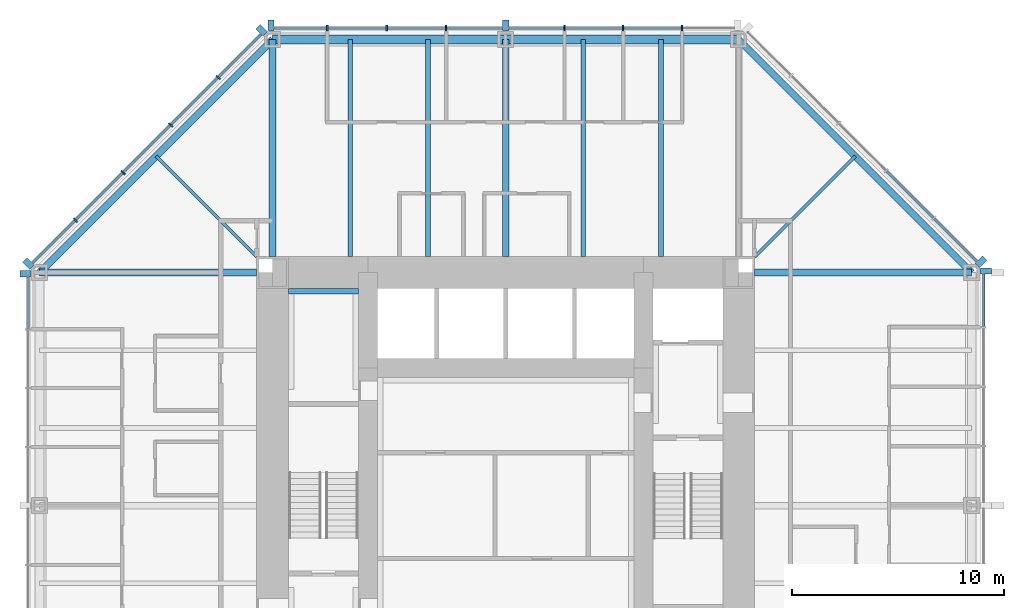
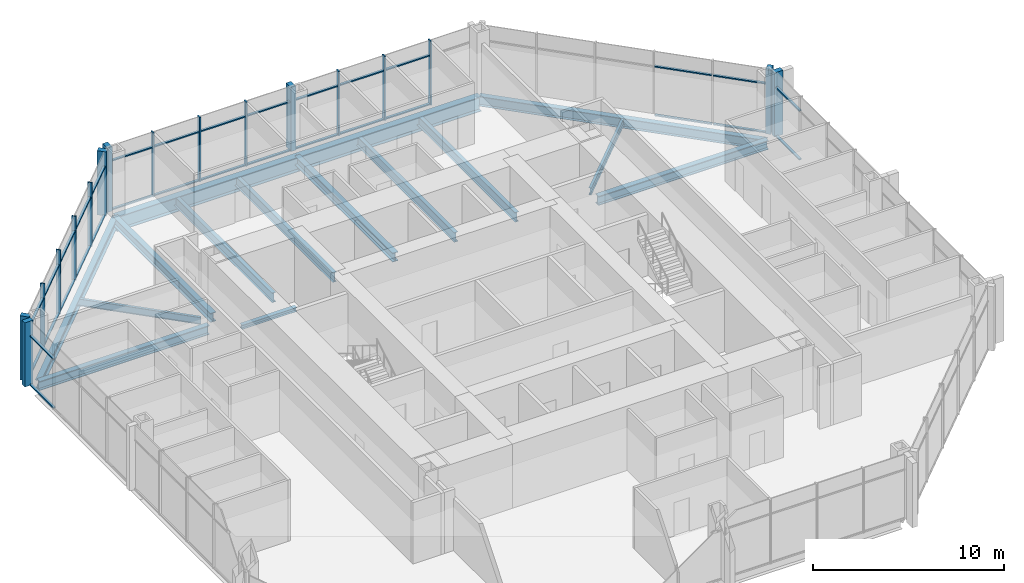
# One storey, part 5 of 14: 49 members, 15 beams, 5 elements without a shape of their own.
"""IFC4 building model written with IfcOpenShell, lengths in metres."""

from ifc_helpers import new_model, si_unit, direction, frame, origin, origin_2d, place, context, subcontext, project, spatial, rectangle, i_section, extrude, material, material_profile, profile_set, type_object, element, aggregate, save


model = new_model("IFC4")

# Units and contexts
model_context = context("Model", 3, precision=1e-05, world=origin(), true_north=direction((0.0, 1.0)))
body_context = subcontext(model_context, "Body", "Model", "MODEL_VIEW")
ifc_project = project(units=[si_unit("LENGTHUNIT", "METRE"), si_unit("AREAUNIT", "SQUARE_METRE"), si_unit("VOLUMEUNIT", "CUBIC_METRE"), si_unit("PLANEANGLEUNIT", "RADIAN"), si_unit("MASSUNIT", "GRAM", prefix="KILO")], contexts=[model_context])

# Site, building, storey
site_placement = place(None, origin())
site = spatial("IfcSite", under=ifc_project, at=site_placement, CompositionType="ELEMENT")
building_placement = place(site_placement, origin())
building = spatial("IfcBuilding", under=site, at=building_placement, Name="Trevanion Tower", CompositionType="ELEMENT")
storey_placement = place(building_placement, frame((0.0, 0.0, 104.89990234375)))
storey = spatial("IfcBuildingStorey", under=building, at=storey_placement, Name="L24", CompositionType="ELEMENT", Elevation=104.89990234375)

# Beams
ifc_material_1 = material(Name="Steel ASTM A992 Grade 50", Category="steel")
ifc_material_profile_1 = material_profile(ifc_material_1, i_section(OverallWidth=0.22900390625, OverallDepth=0.612060546875, WebThickness=0.011962890625, FlangeThickness=0.01953125, at=origin_2d()), Name="W24X84")
ifc_profile_set_1 = profile_set([ifc_material_profile_1], Name="Steel ASTM A992 Grade 50")
beam_type_1 = type_object("IfcBeamType", Name="B7 W24X84", PredefinedType="BEAM", material=ifc_profile_set_1)
for number, where, z_axis, x_axis, name in (
    (1, (7.333251953125, 11.75, -0.49609375), (0.0, 1.0, 0.0), (-1.0, 0.0, 0.0), "B7 L24"),
    (2, (3.666748046875, 11.75, -0.49609375), (0.0, 1.0, 0.0), (-1.0, 0.0, 0.0), "B7 L24"),
    (3, (-3.666748046875, 11.75, -0.49609375), (0.0, 1.0, 0.0), (-1.0, 0.0, 0.0), "B7 L24"),
    (4, (-7.333251953125, 11.75, -0.49609375), (0.0, 1.0, 0.0), (-1.0, 0.0, 0.0), "B7 L24"),
):
    element("IfcBeam", number, at=place(storey_placement, frame(where, z_axis=z_axis, x_axis=x_axis)), inside=storey, type_object=beam_type_1, Name=name, PredefinedType="BEAM", context=body_context, shape_type="SweptSolid", body=[
        extrude(i_section(OverallWidth=0.22900390625, OverallDepth=0.612060546875, WebThickness=0.011962890625, FlangeThickness=0.01953125, at=origin_2d()), origin(), (0.0, 0.0, 1.0), 10.25),
    ])
ifc_material_2 = material(Name="Steel ASTM A992 Grade 50", Category="steel")
ifc_material_profile_2 = material_profile(ifc_material_2, i_section(OverallWidth=0.15234375, OverallDepth=0.449462890625, WebThickness=0.007568359375, FlangeThickness=0.0107421875, at=origin_2d()), Name="W18X35")
ifc_profile_set_2 = profile_set([ifc_material_profile_2], Name="Steel ASTM A992 Grade 50")
beam_type_2 = type_object("IfcBeamType", Name="B8 W18X35", PredefinedType="BEAM", material=ifc_profile_set_2)
for number, where, z_axis, x_axis, name in (
    (5, (11.75, 11.75, -0.414794921875), (0.707106781187, 0.707106781187, 0.0), (-0.707106781187, 0.707106781187, 0.0), "B8 L24"),
    (6, (-11.75, 11.75, -0.414794921875), (-0.707106781187, 0.707106781187, 0.0), (-0.707106781187, -0.707106781187, 0.0), "B8 L24"),
):
    element("IfcBeam", number, at=place(storey_placement, frame(where, z_axis=z_axis, x_axis=x_axis)), inside=storey, type_object=beam_type_2, Name=name, PredefinedType="BEAM", context=body_context, shape_type="SweptSolid", body=[
        extrude(i_section(OverallWidth=0.15234375, OverallDepth=0.449462890625, WebThickness=0.007568359375, FlangeThickness=0.0107421875, at=origin_2d()), origin(), (0.0, 0.0, 1.0), 6.717529296875),
    ])

# Curtain wall, members
ifc_material_3 = material(Name="Aluminium and glass", Category="aluminium")
curtain_wall_type = type_object("IfcCurtainWallType", Name="CW2 curtain wall", PredefinedType="USERDEFINED", material=ifc_material_3)
curtain_wall_1_placement = place(storey_placement, origin())
curtain_wall_1 = element("IfcCurtainWall", 7, at=curtain_wall_1_placement, inside=storey, type_object=curtain_wall_type, Name="CW2 L24 2", ObjectType="UNITISED CURTAIN WALL", PredefinedType="USERDEFINED")
ifc_material_4 = material(Name="Aluminium extrusion, anodised bronze", Category="aluminium")
ifc_material_profile_3 = material_profile(ifc_material_4, rectangle(XDim=0.074951171875, YDim=0.25, at=origin_2d()), Name="CW2 mullion")
ifc_profile_set_3 = profile_set([ifc_material_profile_3], Name="Aluminium extrusion, anodised bronze")
member_type_1 = type_object("IfcMemberType", Name="CW2 mullion", PredefinedType="MULLION", material=ifc_profile_set_3)
member_1_placement = place(storey_placement, frame((8.323486328125, 22.550048828125, -0.18994140625), z_axis=(0.0, 0.0, 1.0), x_axis=(-1.0, 0.0, 0.0)))
member_1 = element("IfcMember", 8, at=member_1_placement, type_object=member_type_1, Name="CW2 mullion 2", PredefinedType="MULLION", context=body_context, shape_type="SweptSolid", body=[
    extrude(rectangle(XDim=0.074951171875, YDim=0.25, at=origin_2d()), origin(), (0.0, 0.0, 1.0), 4.10009765625),
])
member_2_placement = place(storey_placement, frame((5.548828125, 22.550048828125, -0.18994140625), z_axis=(0.0, 0.0, 1.0), x_axis=(-1.0, 0.0, 0.0)))
member_2 = element("IfcMember", 9, at=member_2_placement, type_object=member_type_1, Name="CW2 mullion 3", PredefinedType="MULLION", context=body_context, shape_type="SweptSolid", body=[
    extrude(rectangle(XDim=0.074951171875, YDim=0.25, at=origin_2d()), origin(), (0.0, 0.0, 1.0), 4.10009765625),
])
member_3_placement = place(storey_placement, frame((2.7744140625, 22.550048828125, -0.18994140625), z_axis=(0.0, 0.0, 1.0), x_axis=(-1.0, 0.0, 0.0)))
member_3 = element("IfcMember", 10, at=member_3_placement, type_object=member_type_1, Name="CW2 mullion 4", PredefinedType="MULLION", context=body_context, shape_type="SweptSolid", body=[
    extrude(rectangle(XDim=0.074951171875, YDim=0.25, at=origin_2d()), origin(), (0.0, 0.0, 1.0), 4.10009765625),
])
member_4_placement = place(storey_placement, frame((-2.806884765625, 22.550048828125, -0.18994140625), z_axis=(0.0, 0.0, 1.0), x_axis=(-1.0, 0.0, 0.0)))
member_4 = element("IfcMember", 11, at=member_4_placement, type_object=member_type_1, Name="CW2 mullion 6", PredefinedType="MULLION", context=body_context, shape_type="SweptSolid", body=[
    extrude(rectangle(XDim=0.074951171875, YDim=0.25, at=origin_2d()), origin(), (0.0, 0.0, 1.0), 4.10009765625),
])
member_5_placement = place(storey_placement, frame((-5.614013671875, 22.550048828125, -0.18994140625), z_axis=(0.0, 0.0, 1.0), x_axis=(-1.0, 0.0, 0.0)))
member_5 = element("IfcMember", 12, at=member_5_placement, type_object=member_type_1, Name="CW2 mullion 7", PredefinedType="MULLION", context=body_context, shape_type="SweptSolid", body=[
    extrude(rectangle(XDim=0.074951171875, YDim=0.25, at=origin_2d()), origin(), (0.0, 0.0, 1.0), 4.10009765625),
])
member_6_placement = place(storey_placement, frame((-8.4208984375, 22.550048828125, -0.18994140625), z_axis=(0.0, 0.0, 1.0), x_axis=(-1.0, 0.0, 0.0)))
member_6 = element("IfcMember", 13, at=member_6_placement, type_object=member_type_1, Name="CW2 mullion 8", PredefinedType="MULLION", context=body_context, shape_type="SweptSolid", body=[
    extrude(rectangle(XDim=0.074951171875, YDim=0.25, at=origin_2d()), origin(), (0.0, 0.0, 1.0), 4.10009765625),
])

curtain_wall_2_placement = place(storey_placement, origin())
curtain_wall_2 = element("IfcCurtainWall", 14, at=curtain_wall_2_placement, inside=storey, type_object=curtain_wall_type, Name="CW2 L24 3", ObjectType="UNITISED CURTAIN WALL", PredefinedType="USERDEFINED")
member_7_placement = place(storey_placement, frame((-13.56591796875, 20.2119140625, -0.18994140625), z_axis=(0.0, 0.0, 1.0), x_axis=(-0.707106781187, -0.707106781187, 0.0)))
member_7 = element("IfcMember", 15, at=member_7_placement, type_object=member_type_1, Name="CW2 mullion 2", PredefinedType="MULLION", context=body_context, shape_type="SweptSolid", body=[
    extrude(rectangle(XDim=0.074951171875, YDim=0.25, at=origin_2d()), origin(), (0.0, 0.0, 1.0), 4.10009765625),
])
member_8_placement = place(storey_placement, frame((-15.811767578125, 17.966064453125, -0.18994140625), z_axis=(0.0, 0.0, 1.0), x_axis=(-0.707106781187, -0.707106781187, 0.0)))
member_8 = element("IfcMember", 16, at=member_8_placement, type_object=member_type_1, Name="CW2 mullion 3", PredefinedType="MULLION", context=body_context, shape_type="SweptSolid", body=[
    extrude(rectangle(XDim=0.074951171875, YDim=0.25, at=origin_2d()), origin(), (0.0, 0.0, 1.0), 4.10009765625),
])
member_9_placement = place(storey_placement, frame((-18.057861328125, 15.719970703125, -0.18994140625), z_axis=(0.0, 0.0, 1.0), x_axis=(-0.707106781187, -0.707106781187, 0.0)))
member_9 = element("IfcMember", 17, at=member_9_placement, type_object=member_type_1, Name="CW2 mullion 4", PredefinedType="MULLION", context=body_context, shape_type="SweptSolid", body=[
    extrude(rectangle(XDim=0.074951171875, YDim=0.25, at=origin_2d()), origin(), (0.0, 0.0, 1.0), 4.10009765625),
])
member_10_placement = place(storey_placement, frame((-20.303955078125, 13.473876953125, -0.18994140625), z_axis=(0.0, 0.0, 1.0), x_axis=(-0.707106781187, -0.707106781187, 0.0)))
member_10 = element("IfcMember", 18, at=member_10_placement, type_object=member_type_1, Name="CW2 mullion 5", PredefinedType="MULLION", context=body_context, shape_type="SweptSolid", body=[
    extrude(rectangle(XDim=0.074951171875, YDim=0.25, at=origin_2d()), origin(), (0.0, 0.0, 1.0), 4.10009765625),
])

# Curtain wall, member
curtain_wall_3_placement = place(storey_placement, origin())
curtain_wall_3 = element("IfcCurtainWall", 19, at=curtain_wall_3_placement, inside=storey, type_object=curtain_wall_type, Name="CW2 L24 0", ObjectType="UNITISED CURTAIN WALL", PredefinedType="USERDEFINED")
ifc_material_5 = material(Name="Aluminium extrusion, anodised bronze", Category="aluminium")
ifc_material_profile_4 = material_profile(ifc_material_5, rectangle(XDim=0.300048828125, YDim=0.5, at=origin_2d()), Name="CW2 pier mullion")
ifc_profile_set_4 = profile_set([ifc_material_profile_4], Name="Aluminium extrusion, anodised bronze")
member_type_2 = type_object("IfcMemberType", Name="CW2 pier mullion", PredefinedType="MULLION", material=ifc_profile_set_4)
member_11_placement = place(storey_placement, frame((22.675048828125, 11.077880859375, -0.18994140625), z_axis=(0.0, 0.0, 1.0), x_axis=(0.0, 1.0, 0.0)))
member_11 = element("IfcMember", 20, at=member_11_placement, type_object=member_type_2, Name="CW2 pier mullion 9", PredefinedType="MULLION", context=body_context, shape_type="SweptSolid", body=[
    extrude(rectangle(XDim=0.300048828125, YDim=0.5, at=origin_2d()), origin(), (0.0, 0.0, 1.0), 4.10009765625),
])

curtain_wall_4_placement = place(storey_placement, origin())
curtain_wall_4 = element("IfcCurtainWall", 21, at=curtain_wall_4_placement, inside=storey, type_object=curtain_wall_type, Name="CW2 L24 1", ObjectType="UNITISED CURTAIN WALL", PredefinedType="USERDEFINED")
member_12_placement = place(storey_placement, frame((22.4404296875, 11.51416015625, -0.18994140625), z_axis=(0.0, 0.0, 1.0), x_axis=(-0.707106781187, 0.707106781187, 0.0)))
member_12 = element("IfcMember", 22, at=member_12_placement, type_object=member_type_2, Name="CW2 pier mullion 1", PredefinedType="MULLION", context=body_context, shape_type="SweptSolid", body=[
    extrude(rectangle(XDim=0.300048828125, YDim=0.5, at=origin_2d()), origin(), (0.0, 0.0, 1.0), 4.10009765625),
])

# Member
member_13_placement = place(storey_placement, frame((0.0, 22.675048828125, -0.18994140625), z_axis=(0.0, 0.0, 1.0), x_axis=(-1.0, 0.0, 0.0)))
member_13 = element("IfcMember", 23, at=member_13_placement, type_object=member_type_2, Name="CW2 pier mullion 5", PredefinedType="MULLION", context=body_context, shape_type="SweptSolid", body=[
    extrude(rectangle(XDim=0.300048828125, YDim=0.5, at=origin_2d()), origin(), (0.0, 0.0, 1.0), 4.10009765625),
])

member_14_placement = place(storey_placement, frame((-11.077880859375, 22.675048828125, -0.18994140625), z_axis=(0.0, 0.0, 1.0), x_axis=(-1.0, 0.0, 0.0)))
member_14 = element("IfcMember", 24, at=member_14_placement, type_object=member_type_2, Name="CW2 pier mullion 9", PredefinedType="MULLION", context=body_context, shape_type="SweptSolid", body=[
    extrude(rectangle(XDim=0.300048828125, YDim=0.5, at=origin_2d()), origin(), (0.0, 0.0, 1.0), 4.10009765625),
])

member_15_placement = place(storey_placement, frame((-11.51416015625, 22.4404296875, -0.18994140625), z_axis=(0.0, 0.0, 1.0), x_axis=(-0.707106781187, -0.707106781187, 0.0)))
member_15 = element("IfcMember", 25, at=member_15_placement, type_object=member_type_2, Name="CW2 pier mullion 1", PredefinedType="MULLION", context=body_context, shape_type="SweptSolid", body=[
    extrude(rectangle(XDim=0.300048828125, YDim=0.5, at=origin_2d()), origin(), (0.0, 0.0, 1.0), 4.10009765625),
])

member_16_placement = place(storey_placement, frame((-22.5322265625, 11.42236328125, -0.18994140625), z_axis=(0.0, 0.0, 1.0), x_axis=(-0.707106781187, -0.707106781187, 0.0)))
member_16 = element("IfcMember", 26, at=member_16_placement, type_object=member_type_2, Name="CW2 pier mullion 6", PredefinedType="MULLION", context=body_context, shape_type="SweptSolid", body=[
    extrude(rectangle(XDim=0.300048828125, YDim=0.5, at=origin_2d()), origin(), (0.0, 0.0, 1.0), 4.10009765625),
])

# Curtain wall, member
curtain_wall_5_placement = place(storey_placement, origin())
curtain_wall_5 = element("IfcCurtainWall", 27, at=curtain_wall_5_placement, inside=storey, type_object=curtain_wall_type, Name="CW2 L24 4", ObjectType="UNITISED CURTAIN WALL", PredefinedType="USERDEFINED")
member_17_placement = place(storey_placement, frame((-22.675048828125, 10.94775390625, -0.18994140625), z_axis=(0.0, 0.0, 1.0), x_axis=(0.0, -1.0, 0.0)))
member_17 = element("IfcMember", 28, at=member_17_placement, type_object=member_type_2, Name="CW2 pier mullion 1", PredefinedType="MULLION", context=body_context, shape_type="SweptSolid", body=[
    extrude(rectangle(XDim=0.300048828125, YDim=0.5, at=origin_2d()), origin(), (0.0, 0.0, 1.0), 4.10009765625),
])

# Member
ifc_material_6 = material(Name="Aluminium extrusion, anodised bronze", Category="aluminium")
ifc_material_profile_5 = material_profile(ifc_material_6, rectangle(XDim=0.14990234375, YDim=0.074951171875, at=origin_2d()), Name="CW2 transom")
ifc_profile_set_5 = profile_set([ifc_material_profile_5], Name="Aluminium extrusion, anodised bronze")
member_type_3 = type_object("IfcMemberType", Name="CW2 transom", PredefinedType="USERDEFINED", material=ifc_profile_set_5)
member_18_placement = place(storey_placement, frame((22.550048828125, 8.45849609375, -0.15234375), z_axis=(0.0, 1.0, 0.0), x_axis=(-1.0, 0.0, 0.0)))
member_18 = element("IfcMember", 29, at=member_18_placement, type_object=member_type_3, Name="CW2 transom 8.1", ObjectType="TRANSOM", PredefinedType="USERDEFINED", context=body_context, shape_type="SweptSolid", body=[
    extrude(rectangle(XDim=0.14990234375, YDim=0.074951171875, at=origin_2d()), origin(), (0.0, 0.0, 1.0), 2.46923828125),
])

member_19_placement = place(storey_placement, frame((22.550048828125, 8.45849609375, 2.960205078125), z_axis=(0.0, 1.0, 0.0), x_axis=(-1.0, 0.0, 0.0)))
member_19 = element("IfcMember", 30, at=member_19_placement, type_object=member_type_3, Name="CW2 transom 8.2", ObjectType="TRANSOM", PredefinedType="USERDEFINED", context=body_context, shape_type="SweptSolid", body=[
    extrude(rectangle(XDim=0.14990234375, YDim=0.074951171875, at=origin_2d()), origin(), (0.0, 0.0, 1.0), 2.46923828125),
])

aggregate(curtain_wall_3, [member_11, member_18, member_19])

member_20_placement = place(storey_placement, frame((22.245849609375, 11.531982421875, -0.15234375), z_axis=(-0.707106781187, 0.707106781187, 0.0), x_axis=(-0.707106781187, -0.707106781187, 0.0)))
member_20 = element("IfcMember", 31, at=member_20_placement, type_object=member_type_3, Name="CW2 transom 1.1", ObjectType="TRANSOM", PredefinedType="USERDEFINED", context=body_context, shape_type="SweptSolid", body=[
    extrude(rectangle(XDim=0.14990234375, YDim=0.074951171875, at=origin_2d()), origin(), (0.0, 0.0, 1.0), 2.8388671875),
])

member_21_placement = place(storey_placement, frame((22.245849609375, 11.531982421875, 2.960205078125), z_axis=(-0.707106781187, 0.707106781187, 0.0), x_axis=(-0.707106781187, -0.707106781187, 0.0)))
member_21 = element("IfcMember", 32, at=member_21_placement, type_object=member_type_3, Name="CW2 transom 1.2", ObjectType="TRANSOM", PredefinedType="USERDEFINED", context=body_context, shape_type="SweptSolid", body=[
    extrude(rectangle(XDim=0.14990234375, YDim=0.074951171875, at=origin_2d()), origin(), (0.0, 0.0, 1.0), 2.8388671875),
])

member_22_placement = place(storey_placement, frame((20.185546875, 13.59228515625, -0.15234375), z_axis=(-0.707106781187, 0.707106781187, 0.0), x_axis=(-0.707106781187, -0.707106781187, 0.0)))
member_22 = element("IfcMember", 33, at=member_22_placement, type_object=member_type_3, Name="CW2 transom 2.1", ObjectType="TRANSOM", PredefinedType="USERDEFINED", context=body_context, shape_type="SweptSolid", body=[
    extrude(rectangle(XDim=0.14990234375, YDim=0.074951171875, at=origin_2d()), origin(), (0.0, 0.0, 1.0), 3.1015625),
])

member_23_placement = place(storey_placement, frame((20.185546875, 13.59228515625, 2.960205078125), z_axis=(-0.707106781187, 0.707106781187, 0.0), x_axis=(-0.707106781187, -0.707106781187, 0.0)))
member_23 = element("IfcMember", 34, at=member_23_placement, type_object=member_type_3, Name="CW2 transom 2.2", ObjectType="TRANSOM", PredefinedType="USERDEFINED", context=body_context, shape_type="SweptSolid", body=[
    extrude(rectangle(XDim=0.14990234375, YDim=0.074951171875, at=origin_2d()), origin(), (0.0, 0.0, 1.0), 3.1015625),
])

aggregate(curtain_wall_4, [member_12, member_20, member_21, member_22, member_23])

member_24_placement = place(storey_placement, frame((8.285888671875, 22.550048828125, -0.15234375), z_axis=(-1.0, 0.0, 0.0), x_axis=(0.0, -1.0, 0.0)))
member_24 = element("IfcMember", 35, at=member_24_placement, type_object=member_type_3, Name="CW2 transom 2.1", ObjectType="TRANSOM", PredefinedType="USERDEFINED", context=body_context, shape_type="SweptSolid", body=[
    extrude(rectangle(XDim=0.14990234375, YDim=0.074951171875, at=origin_2d()), origin(), (0.0, 0.0, 1.0), 2.699462890625),
])

member_25_placement = place(storey_placement, frame((8.285888671875, 22.550048828125, 2.960205078125), z_axis=(-1.0, 0.0, 0.0), x_axis=(0.0, -1.0, 0.0)))
member_25 = element("IfcMember", 36, at=member_25_placement, type_object=member_type_3, Name="CW2 transom 2.2", ObjectType="TRANSOM", PredefinedType="USERDEFINED", context=body_context, shape_type="SweptSolid", body=[
    extrude(rectangle(XDim=0.14990234375, YDim=0.074951171875, at=origin_2d()), origin(), (0.0, 0.0, 1.0), 2.699462890625),
])

member_26_placement = place(storey_placement, frame((5.511474609375, 22.550048828125, -0.15234375), z_axis=(-1.0, 0.0, 0.0), x_axis=(0.0, -1.0, 0.0)))
member_26 = element("IfcMember", 37, at=member_26_placement, type_object=member_type_3, Name="CW2 transom 3.1", ObjectType="TRANSOM", PredefinedType="USERDEFINED", context=body_context, shape_type="SweptSolid", body=[
    extrude(rectangle(XDim=0.14990234375, YDim=0.074951171875, at=origin_2d()), origin(), (0.0, 0.0, 1.0), 2.699462890625),
])

member_27_placement = place(storey_placement, frame((5.511474609375, 22.550048828125, 2.960205078125), z_axis=(-1.0, 0.0, 0.0), x_axis=(0.0, -1.0, 0.0)))
member_27 = element("IfcMember", 38, at=member_27_placement, type_object=member_type_3, Name="CW2 transom 3.2", ObjectType="TRANSOM", PredefinedType="USERDEFINED", context=body_context, shape_type="SweptSolid", body=[
    extrude(rectangle(XDim=0.14990234375, YDim=0.074951171875, at=origin_2d()), origin(), (0.0, 0.0, 1.0), 2.699462890625),
])

member_28_placement = place(storey_placement, frame((2.737060546875, 22.550048828125, -0.15234375), z_axis=(-1.0, 0.0, 0.0), x_axis=(0.0, -1.0, 0.0)))
member_28 = element("IfcMember", 39, at=member_28_placement, type_object=member_type_3, Name="CW2 transom 4.1", ObjectType="TRANSOM", PredefinedType="USERDEFINED", context=body_context, shape_type="SweptSolid", body=[
    extrude(rectangle(XDim=0.14990234375, YDim=0.074951171875, at=origin_2d()), origin(), (0.0, 0.0, 1.0), 2.587158203125),
])

member_29_placement = place(storey_placement, frame((2.737060546875, 22.550048828125, 2.960205078125), z_axis=(-1.0, 0.0, 0.0), x_axis=(0.0, -1.0, 0.0)))
member_29 = element("IfcMember", 40, at=member_29_placement, type_object=member_type_3, Name="CW2 transom 4.2", ObjectType="TRANSOM", PredefinedType="USERDEFINED", context=body_context, shape_type="SweptSolid", body=[
    extrude(rectangle(XDim=0.14990234375, YDim=0.074951171875, at=origin_2d()), origin(), (0.0, 0.0, 1.0), 2.587158203125),
])

member_30_placement = place(storey_placement, frame((-0.14990234375, 22.550048828125, -0.15234375), z_axis=(-1.0, 0.0, 0.0), x_axis=(0.0, -1.0, 0.0)))
member_30 = element("IfcMember", 41, at=member_30_placement, type_object=member_type_3, Name="CW2 transom 5.1", ObjectType="TRANSOM", PredefinedType="USERDEFINED", context=body_context, shape_type="SweptSolid", body=[
    extrude(rectangle(XDim=0.14990234375, YDim=0.074951171875, at=origin_2d()), origin(), (0.0, 0.0, 1.0), 2.619384765625),
])

member_31_placement = place(storey_placement, frame((-0.14990234375, 22.550048828125, 2.960205078125), z_axis=(-1.0, 0.0, 0.0), x_axis=(0.0, -1.0, 0.0)))
member_31 = element("IfcMember", 42, at=member_31_placement, type_object=member_type_3, Name="CW2 transom 5.2", ObjectType="TRANSOM", PredefinedType="USERDEFINED", context=body_context, shape_type="SweptSolid", body=[
    extrude(rectangle(XDim=0.14990234375, YDim=0.074951171875, at=origin_2d()), origin(), (0.0, 0.0, 1.0), 2.619384765625),
])

member_32_placement = place(storey_placement, frame((-2.844482421875, 22.550048828125, -0.15234375), z_axis=(-1.0, 0.0, 0.0), x_axis=(0.0, -1.0, 0.0)))
member_32 = element("IfcMember", 43, at=member_32_placement, type_object=member_type_3, Name="CW2 transom 6.1", ObjectType="TRANSOM", PredefinedType="USERDEFINED", context=body_context, shape_type="SweptSolid", body=[
    extrude(rectangle(XDim=0.14990234375, YDim=0.074951171875, at=origin_2d()), origin(), (0.0, 0.0, 1.0), 2.73193359375),
])

member_33_placement = place(storey_placement, frame((-2.844482421875, 22.550048828125, 2.960205078125), z_axis=(-1.0, 0.0, 0.0), x_axis=(0.0, -1.0, 0.0)))
member_33 = element("IfcMember", 44, at=member_33_placement, type_object=member_type_3, Name="CW2 transom 6.2", ObjectType="TRANSOM", PredefinedType="USERDEFINED", context=body_context, shape_type="SweptSolid", body=[
    extrude(rectangle(XDim=0.14990234375, YDim=0.074951171875, at=origin_2d()), origin(), (0.0, 0.0, 1.0), 2.73193359375),
])

member_34_placement = place(storey_placement, frame((-5.6513671875, 22.550048828125, -0.15234375), z_axis=(-1.0, 0.0, 0.0), x_axis=(0.0, -1.0, 0.0)))
member_34 = element("IfcMember", 45, at=member_34_placement, type_object=member_type_3, Name="CW2 transom 7.1", ObjectType="TRANSOM", PredefinedType="USERDEFINED", context=body_context, shape_type="SweptSolid", body=[
    extrude(rectangle(XDim=0.14990234375, YDim=0.074951171875, at=origin_2d()), origin(), (0.0, 0.0, 1.0), 2.73193359375),
])

member_35_placement = place(storey_placement, frame((-5.6513671875, 22.550048828125, 2.960205078125), z_axis=(-1.0, 0.0, 0.0), x_axis=(0.0, -1.0, 0.0)))
member_35 = element("IfcMember", 46, at=member_35_placement, type_object=member_type_3, Name="CW2 transom 7.2", ObjectType="TRANSOM", PredefinedType="USERDEFINED", context=body_context, shape_type="SweptSolid", body=[
    extrude(rectangle(XDim=0.14990234375, YDim=0.074951171875, at=origin_2d()), origin(), (0.0, 0.0, 1.0), 2.73193359375),
])

member_36_placement = place(storey_placement, frame((-8.45849609375, 22.550048828125, -0.15234375), z_axis=(-1.0, 0.0, 0.0), x_axis=(0.0, -1.0, 0.0)))
member_36 = element("IfcMember", 47, at=member_36_placement, type_object=member_type_3, Name="CW2 transom 8.1", ObjectType="TRANSOM", PredefinedType="USERDEFINED", context=body_context, shape_type="SweptSolid", body=[
    extrude(rectangle(XDim=0.14990234375, YDim=0.074951171875, at=origin_2d()), origin(), (0.0, 0.0, 1.0), 2.46923828125),
])

member_37_placement = place(storey_placement, frame((-8.45849609375, 22.550048828125, 2.960205078125), z_axis=(-1.0, 0.0, 0.0), x_axis=(0.0, -1.0, 0.0)))
member_37 = element("IfcMember", 48, at=member_37_placement, type_object=member_type_3, Name="CW2 transom 8.2", ObjectType="TRANSOM", PredefinedType="USERDEFINED", context=body_context, shape_type="SweptSolid", body=[
    extrude(rectangle(XDim=0.14990234375, YDim=0.074951171875, at=origin_2d()), origin(), (0.0, 0.0, 1.0), 2.46923828125),
])

aggregate(curtain_wall_1, [member_1, member_2, member_3, member_13, member_4, member_5, member_6, member_14, member_24, member_25, member_26, member_27, member_28, member_29, member_30, member_31, member_32, member_33, member_34, member_35, member_36, member_37])

member_38_placement = place(storey_placement, frame((-11.531982421875, 22.245849609375, -0.15234375), z_axis=(-0.707106781187, -0.707106781187, 0.0), x_axis=(0.707106781187, -0.707106781187, 0.0)))
member_38 = element("IfcMember", 49, at=member_38_placement, type_object=member_type_3, Name="CW2 transom 1.1", ObjectType="TRANSOM", PredefinedType="USERDEFINED", context=body_context, shape_type="SweptSolid", body=[
    extrude(rectangle(XDim=0.14990234375, YDim=0.074951171875, at=origin_2d()), origin(), (0.0, 0.0, 1.0), 2.8388671875),
])

member_39_placement = place(storey_placement, frame((-11.531982421875, 22.245849609375, 2.960205078125), z_axis=(-0.707106781187, -0.707106781187, 0.0), x_axis=(0.707106781187, -0.707106781187, 0.0)))
member_39 = element("IfcMember", 50, at=member_39_placement, type_object=member_type_3, Name="CW2 transom 1.2", ObjectType="TRANSOM", PredefinedType="USERDEFINED", context=body_context, shape_type="SweptSolid", body=[
    extrude(rectangle(XDim=0.14990234375, YDim=0.074951171875, at=origin_2d()), origin(), (0.0, 0.0, 1.0), 2.8388671875),
])

member_40_placement = place(storey_placement, frame((-13.59228515625, 20.185546875, -0.15234375), z_axis=(-0.707106781187, -0.707106781187, 0.0), x_axis=(0.707106781187, -0.707106781187, 0.0)))
member_40 = element("IfcMember", 51, at=member_40_placement, type_object=member_type_3, Name="CW2 transom 2.1", ObjectType="TRANSOM", PredefinedType="USERDEFINED", context=body_context, shape_type="SweptSolid", body=[
    extrude(rectangle(XDim=0.14990234375, YDim=0.074951171875, at=origin_2d()), origin(), (0.0, 0.0, 1.0), 3.1015625),
])

member_41_placement = place(storey_placement, frame((-13.59228515625, 20.185546875, 2.960205078125), z_axis=(-0.707106781187, -0.707106781187, 0.0), x_axis=(0.707106781187, -0.707106781187, 0.0)))
member_41 = element("IfcMember", 52, at=member_41_placement, type_object=member_type_3, Name="CW2 transom 2.2", ObjectType="TRANSOM", PredefinedType="USERDEFINED", context=body_context, shape_type="SweptSolid", body=[
    extrude(rectangle(XDim=0.14990234375, YDim=0.074951171875, at=origin_2d()), origin(), (0.0, 0.0, 1.0), 3.1015625),
])

member_42_placement = place(storey_placement, frame((-15.83837890625, 17.939453125, -0.15234375), z_axis=(-0.707106781187, -0.707106781187, 0.0), x_axis=(0.707106781187, -0.707106781187, 0.0)))
member_42 = element("IfcMember", 53, at=member_42_placement, type_object=member_type_3, Name="CW2 transom 3.1", ObjectType="TRANSOM", PredefinedType="USERDEFINED", context=body_context, shape_type="SweptSolid", body=[
    extrude(rectangle(XDim=0.14990234375, YDim=0.074951171875, at=origin_2d()), origin(), (0.0, 0.0, 1.0), 3.1015625),
])

member_43_placement = place(storey_placement, frame((-15.83837890625, 17.939453125, 2.960205078125), z_axis=(-0.707106781187, -0.707106781187, 0.0), x_axis=(0.707106781187, -0.707106781187, 0.0)))
member_43 = element("IfcMember", 54, at=member_43_placement, type_object=member_type_3, Name="CW2 transom 3.2", ObjectType="TRANSOM", PredefinedType="USERDEFINED", context=body_context, shape_type="SweptSolid", body=[
    extrude(rectangle(XDim=0.14990234375, YDim=0.074951171875, at=origin_2d()), origin(), (0.0, 0.0, 1.0), 3.1015625),
])

member_44_placement = place(storey_placement, frame((-18.08447265625, 15.693359375, -0.15234375), z_axis=(-0.707106781187, -0.707106781187, 0.0), x_axis=(0.707106781187, -0.707106781187, 0.0)))
member_44 = element("IfcMember", 55, at=member_44_placement, type_object=member_type_3, Name="CW2 transom 4.1", ObjectType="TRANSOM", PredefinedType="USERDEFINED", context=body_context, shape_type="SweptSolid", body=[
    extrude(rectangle(XDim=0.14990234375, YDim=0.074951171875, at=origin_2d()), origin(), (0.0, 0.0, 1.0), 3.10107421875),
])

member_45_placement = place(storey_placement, frame((-18.08447265625, 15.693359375, 2.960205078125), z_axis=(-0.707106781187, -0.707106781187, 0.0), x_axis=(0.707106781187, -0.707106781187, 0.0)))
member_45 = element("IfcMember", 56, at=member_45_placement, type_object=member_type_3, Name="CW2 transom 4.2", ObjectType="TRANSOM", PredefinedType="USERDEFINED", context=body_context, shape_type="SweptSolid", body=[
    extrude(rectangle(XDim=0.14990234375, YDim=0.074951171875, at=origin_2d()), origin(), (0.0, 0.0, 1.0), 3.10107421875),
])

member_46_placement = place(storey_placement, frame((-20.33056640625, 13.447509765625, -0.15234375), z_axis=(-0.707063781595, -0.707149778163, 0.0), x_axis=(0.707149778163, -0.707063781595, 0.0)))
member_46 = element("IfcMember", 57, at=member_46_placement, type_object=member_type_3, Name="CW2 transom 5.1", ObjectType="TRANSOM", PredefinedType="USERDEFINED", context=body_context, shape_type="SweptSolid", body=[
    extrude(rectangle(XDim=0.14990234375, YDim=0.074951171875, at=origin_2d()), origin(), (0.0, 0.0, 1.0), 2.8388671875),
])

member_47_placement = place(storey_placement, frame((-20.33056640625, 13.447509765625, 2.960205078125), z_axis=(-0.707063781595, -0.707149778163, 0.0), x_axis=(0.707149778163, -0.707063781595, 0.0)))
member_47 = element("IfcMember", 58, at=member_47_placement, type_object=member_type_3, Name="CW2 transom 5.2", ObjectType="TRANSOM", PredefinedType="USERDEFINED", context=body_context, shape_type="SweptSolid", body=[
    extrude(rectangle(XDim=0.14990234375, YDim=0.074951171875, at=origin_2d()), origin(), (0.0, 0.0, 1.0), 2.8388671875),
])

aggregate(curtain_wall_2, [member_15, member_7, member_8, member_9, member_10, member_16, member_38, member_39, member_40, member_41, member_42, member_43, member_44, member_45, member_46, member_47])

member_48_placement = place(storey_placement, frame((-22.550048828125, 10.7978515625, -0.15234375), z_axis=(0.0, -1.0, 0.0), x_axis=(1.0, 0.0, 0.0)))
member_48 = element("IfcMember", 59, at=member_48_placement, type_object=member_type_3, Name="CW2 transom 1.1", ObjectType="TRANSOM", PredefinedType="USERDEFINED", context=body_context, shape_type="SweptSolid", body=[
    extrude(rectangle(XDim=0.14990234375, YDim=0.074951171875, at=origin_2d()), origin(), (0.0, 0.0, 1.0), 2.43701171875),
])

member_49_placement = place(storey_placement, frame((-22.550048828125, 10.7978515625, 2.960205078125), z_axis=(0.0, -1.0, 0.0), x_axis=(1.0, 0.0, 0.0)))
member_49 = element("IfcMember", 60, at=member_49_placement, type_object=member_type_3, Name="CW2 transom 1.2", ObjectType="TRANSOM", PredefinedType="USERDEFINED", context=body_context, shape_type="SweptSolid", body=[
    extrude(rectangle(XDim=0.14990234375, YDim=0.074951171875, at=origin_2d()), origin(), (0.0, 0.0, 1.0), 2.43701171875),
])

aggregate(curtain_wall_5, [member_17, member_48, member_49])

# Beams
ifc_material_7 = material(Name="Steel ASTM A992 Grade 50", Category="steel")
ifc_material_profile_6 = material_profile(ifc_material_7, i_section(OverallWidth=0.320068359375, OverallDepth=0.584228515625, WebThickness=0.023193359375, FlangeThickness=0.04150390625, at=origin_2d()), Name="W21X201")
ifc_profile_set_6 = profile_set([ifc_material_profile_6], Name="Steel ASTM A992 Grade 50")
beam_type_3 = type_object("IfcBeamType", Name="G4 W21X201", PredefinedType="BEAM", material=ifc_profile_set_6)
for number, where, z_axis, x_axis, name in (
    (61, (11.75, 11.0, -0.48193359375), (1.0, 0.0, 0.0), (0.0, 1.0, 0.0), "G4 L24"),
    (62, (0.0, 11.75, -0.48193359375), (0.0, 1.0, 0.0), (-1.0, 0.0, 0.0), "G4 L24"),
    (63, (-11.0, 11.75, -0.48193359375), (0.0, 1.0, 0.0), (-1.0, 0.0, 0.0), "G4 L24"),
    (64, (-11.75, 11.0, -0.48193359375), (-1.0, 0.0, 0.0), (0.0, -1.0, 0.0), "G4 L24"),
):
    element("IfcBeam", number, at=place(storey_placement, frame(where, z_axis=z_axis, x_axis=x_axis)), inside=storey, type_object=beam_type_3, Name=name, PredefinedType="BEAM", context=body_context, shape_type="SweptSolid", body=[
        extrude(i_section(OverallWidth=0.320068359375, OverallDepth=0.584228515625, WebThickness=0.023193359375, FlangeThickness=0.04150390625, at=origin_2d()), origin(), (0.0, 0.0, 1.0), 10.25),
    ])
ifc_material_8 = material(Name="Steel ASTM A992 Grade 50", Category="steel")
ifc_material_profile_7 = material_profile(ifc_material_8, i_section(OverallWidth=0.256591796875, OverallDepth=0.26416015625, WebThickness=0.011962890625, FlangeThickness=0.01953125, at=origin_2d()), Name="W10X68")
ifc_profile_set_7 = profile_set([ifc_material_profile_7], Name="Steel ASTM A992 Grade 50")
beam_type_4 = type_object("IfcBeamType", Name="LB1 W10X68", PredefinedType="BEAM", material=ifc_profile_set_7)
beam_placement = place(storey_placement, frame((-10.25, 10.12158203125, -0.33203125), z_axis=(1.0, 0.0, 0.0), x_axis=(0.0, 1.0, 0.0)))
element("IfcBeam", 65, at=beam_placement, inside=storey, type_object=beam_type_4, Name="LB1 L24", PredefinedType="BEAM", context=body_context, shape_type="SweptSolid", body=[
    extrude(i_section(OverallWidth=0.256591796875, OverallDepth=0.26416015625, WebThickness=0.011962890625, FlangeThickness=0.01953125, at=origin_2d()), origin(), (0.0, 0.0, 1.0), 3.300048828125),
])
ifc_material_9 = material(Name="Steel ASTM A992 Grade 50", Category="steel")
ifc_material_profile_8 = material_profile(ifc_material_9, i_section(OverallWidth=0.419189453125, OverallDepth=0.927001953125, WebThickness=0.019287109375, FlangeThickness=0.031982421875, at=origin_2d()), Name="W36X231")
ifc_profile_set_8 = profile_set([ifc_material_profile_8], Name="Steel ASTM A992 Grade 50")
beam_type_5 = type_object("IfcBeamType", Name="SB4 W36X231", PredefinedType="SPANDREL", material=ifc_profile_set_8)
for number, where, z_axis, x_axis, name in (
    (66, (11.0, 22.0, -0.6533203125), (-1.0, 0.0, 0.0), (0.0, -1.0, 0.0), "SB4 L24"),
    (67, (0.0, 22.0, -0.6533203125), (-1.0, 0.0, 0.0), (0.0, -1.0, 0.0), "SB4 L24"),
):
    element("IfcBeam", number, at=place(storey_placement, frame(where, z_axis=z_axis, x_axis=x_axis)), inside=storey, type_object=beam_type_5, Name=name, PredefinedType="SPANDREL", context=body_context, shape_type="SweptSolid", body=[
        extrude(i_section(OverallWidth=0.419189453125, OverallDepth=0.927001953125, WebThickness=0.019287109375, FlangeThickness=0.031982421875, at=origin_2d()), origin(), (0.0, 0.0, 1.0), 11.0),
    ])
ifc_material_10 = material(Name="Steel ASTM A992 Grade 50", Category="steel")
ifc_material_profile_9 = material_profile(ifc_material_10, i_section(OverallWidth=0.32763671875, OverallDepth=0.62744140625, WebThickness=0.0166015625, FlangeThickness=0.027587890625, at=origin_2d()), Name="W24X146")
ifc_profile_set_9 = profile_set([ifc_material_profile_9], Name="Steel ASTM A992 Grade 50")
beam_type_6 = type_object("IfcBeamType", Name="SB5 W24X146", PredefinedType="SPANDREL", material=ifc_profile_set_9)
for number, where, z_axis, x_axis, name in (
    (68, (22.0, 11.0, -0.503662109375), (-0.707106781187, 0.707106781187, 0.0), (-0.707106781187, -0.707106781187, 0.0), "SB5 L24"),
    (69, (-11.0, 22.0, -0.503662109375), (-0.707106781187, -0.707106781187, 0.0), (0.707106781187, -0.707106781187, 0.0), "SB5 L24"),
):
    element("IfcBeam", number, at=place(storey_placement, frame(where, z_axis=z_axis, x_axis=x_axis)), inside=storey, type_object=beam_type_6, Name=name, PredefinedType="SPANDREL", context=body_context, shape_type="SweptSolid", body=[
        extrude(i_section(OverallWidth=0.32763671875, OverallDepth=0.62744140625, WebThickness=0.0166015625, FlangeThickness=0.027587890625, at=origin_2d()), origin(), (0.0, 0.0, 1.0), 15.556396484375),
    ])

save(model, "model.ifc")
